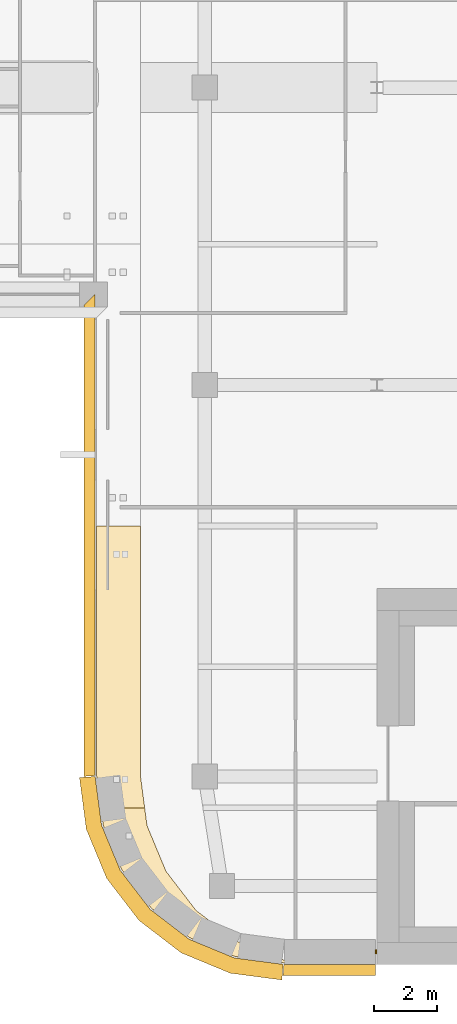
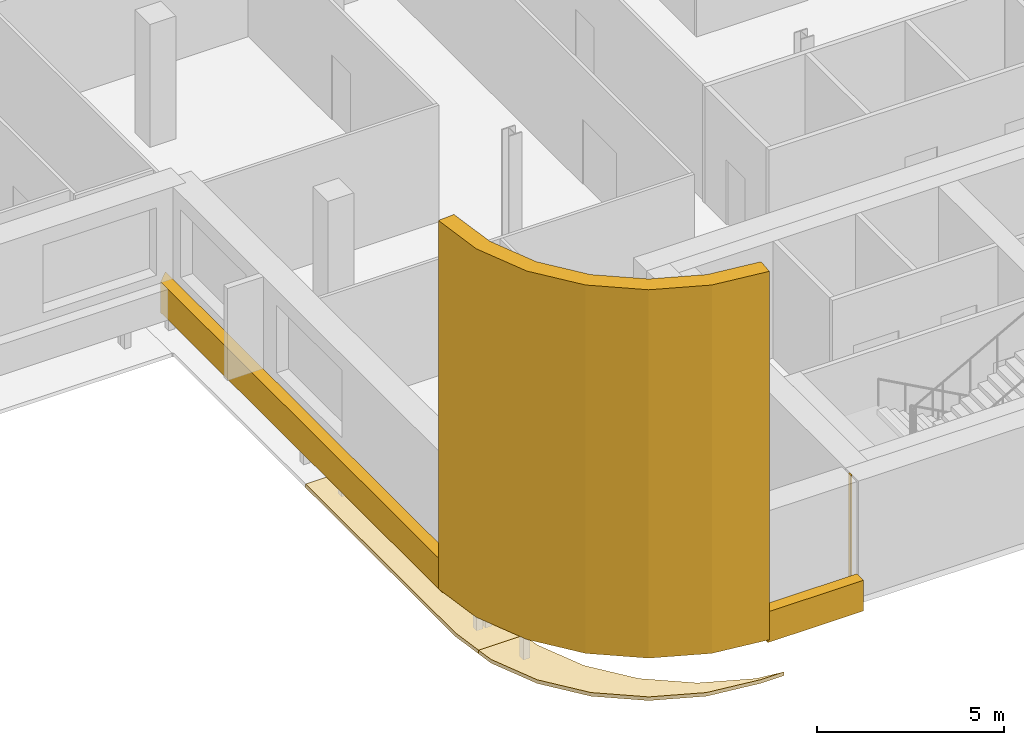
# One storey, part 15 of 19: 6 coverings.
"""IFC4 building model written with IfcOpenShell, lengths in metres."""

from ifc_helpers import new_model, si_unit, direction, frame, origin, origin_2d, place, context, subcontext, project, spatial, polyline, rectangle, outline, extrude, material, layer, layer_set, type_object, element, save


model = new_model("IFC4")

# Units and contexts
model_context = context("Model", 3, precision=1e-05, world=origin(), true_north=direction((0.0, 1.0)))
body_context = subcontext(model_context, "Body", "Model", "MODEL_VIEW")
ifc_project = project(units=[si_unit("LENGTHUNIT", "METRE"), si_unit("AREAUNIT", "SQUARE_METRE"), si_unit("VOLUMEUNIT", "CUBIC_METRE"), si_unit("PLANEANGLEUNIT", "RADIAN"), si_unit("MASSUNIT", "GRAM", prefix="KILO")], contexts=[model_context])

# Site, building, storey
site_placement = place(None, origin())
site = spatial("IfcSite", under=ifc_project, at=site_placement, CompositionType="ELEMENT")
building_placement = place(site_placement, origin())
building = spatial("IfcBuilding", under=site, at=building_placement, Name="Zellij Exchange Tower", CompositionType="ELEMENT")
storey_placement = place(building_placement, frame((0.0, 0.0, 220.5)))
storey = spatial("IfcBuildingStorey", under=building, at=storey_placement, Name="L51", CompositionType="ELEMENT", Elevation=220.5)

# Coverings
ifc_material_1 = material(Name="Limestone cladding", Category="masonry")
ifc_layer_1 = layer(ifc_material_1, 0.35009765625)
ifc_layer_set_1 = layer_set([ifc_layer_1], Name="Limestone cladding")
covering_type_1 = type_object("IfcCoveringType", Name="ENV-CV10 Stone spandrel band 350", PredefinedType="CLADDING", material=ifc_layer_set_1)
covering_1_placement = place(storey_placement, frame((0.0, 0.0, -0.199951171875)))
element("IfcCovering", 1, at=covering_1_placement, inside=storey, type_object=covering_type_1, Name="Stone spandrel band", PredefinedType="CLADDING", context=body_context, shape_type="SweptSolid", body=[
    extrude(outline(polyline([(-29.973876953125, -14.0), (-27.050048828125, -14.0), (-27.050048828125, -14.35009765625), (-29.99658203125, -14.35009765625), (-29.973876953125, -14.0)])), origin(), (0.0, 0.0, 1.0), 1.0),
])
covering_2_placement = place(storey_placement, frame((0.0, 0.0, -0.199951171875)))
element("IfcCovering", 2, at=covering_2_placement, inside=storey, type_object=covering_type_1, Name="Stone spandrel band", PredefinedType="CLADDING", context=body_context, shape_type="SweptSolid", body=[
    extrude(outline(polyline([(-36.0, 7.39990234375), (-36.0, -7.973876953125), (-36.35009765625, -7.99658203125), (-36.35009765625, 7.050048828125), (-36.0, 7.39990234375)])), origin(), (0.0, 0.0, 1.0), 1.0),
])
ifc_layer_2 = layer(ifc_material_1, 0.5)
ifc_layer_set_2 = layer_set([ifc_layer_2], Name="Limestone cladding")
covering_type_2 = type_object("IfcCoveringType", Name="ENV-CV12 Stone corner pier 500", PredefinedType="CLADDING", material=ifc_layer_set_2)
covering_3_placement = place(storey_placement, origin())
element("IfcCovering", 3, at=covering_3_placement, inside=storey, type_object=covering_type_2, Name="Stone corner pier", PredefinedType="CLADDING", context=body_context, shape_type="SweptSolid", body=[
    extrude(outline(polyline([(-36.0, -8.0), (-35.795654296875, -9.552978515625), (-35.1962890625, -11.0), (-34.24267578125, -12.24267578125), (-33.0, -13.1962890625), (-31.552978515625, -13.795654296875), (-30.0, -14.0), (-30.03271484375, -14.5), (-31.683349609375, -14.28271484375), (-33.252197265625, -13.6328125), (-34.59912109375, -12.59912109375), (-35.6328125, -11.252197265625), (-36.28271484375, -9.683349609375), (-36.5, -8.03271484375), (-36.0, -8.0)])), origin(), (0.0, 0.0, 1.0), 12.0),
])
ifc_layer_3 = layer(ifc_material_1, 0.1201171875)
ifc_layer_set_3 = layer_set([ifc_layer_3], Name="Limestone cladding")
covering_type_3 = type_object("IfcCoveringType", Name="ENV-CV18 Glazing closer 120", PredefinedType="CLADDING", material=ifc_layer_set_3)
covering_4_placement = place(storey_placement, frame((-27.02490234375, -13.60009765625, 0.0), z_axis=(0.0, 0.0, 1.0), x_axis=(1.0, 0.0, 0.0)))
element("IfcCovering", 4, at=covering_4_placement, inside=storey, type_object=covering_type_3, Name="Glazing closer", PredefinedType="CLADDING", context=body_context, shape_type="SweptSolid", body=[
    extrude(rectangle(XDim=0.050048828125, YDim=0.1201171875, at=origin_2d()), origin(), (0.0, 0.0, 1.0), 3.800048828125),
])
ifc_material_2 = material(Name="Limestone screen", Category="masonry")
ifc_layer_4 = layer(ifc_material_2, 0.1201171875)
ifc_layer_set_4 = layer_set([ifc_layer_4], Name="Limestone screen")
covering_type_4 = type_object("IfcCoveringType", Name="ENV-SC1 Pierced stone screen 120", PredefinedType="USERDEFINED", material=ifc_layer_set_4)
covering_5_placement = place(storey_placement, frame((0.0, 0.0, -1.77001953125)))
element("IfcCovering", 5, at=covering_5_placement, inside=storey, type_object=covering_type_4, Name="Pierced stone screen", ObjectType="SCREEN", PredefinedType="USERDEFINED", context=body_context, shape_type="SweptSolid", body=[
    extrude(outline(polyline([(-32.974853515625, -13.152587890625), (-34.20703125, -12.20703125), (-35.152587890625, -10.974853515625), (-35.746826171875, -9.539794921875), (-35.81787109375, -9.0), (-34.418701171875, -9.0), (-34.34521484375, -9.559326171875), (-34.344482421875, -9.563720703125), (-34.34326171875, -9.56787109375), (-34.341796875, -9.572021484375), (-33.7421875, -11.01904296875), (-33.740478515625, -11.023193359375), (-33.73828125, -11.02685546875), (-33.73583984375, -11.030517578125), (-32.7822265625, -12.273193359375), (-32.779541015625, -12.2763671875), (-32.7763671875, -12.279541015625), (-32.773193359375, -12.2822265625), (-31.530517578125, -13.23583984375), (-31.52685546875, -13.23828125), (-31.523193359375, -13.240478515625), (-31.51904296875, -13.2421875), (-30.072021484375, -13.841796875), (-30.06787109375, -13.84326171875), (-30.063720703125, -13.844482421875), (-30.059326171875, -13.84521484375), (-29.262939453125, -13.949951171875), (-29.99658203125, -13.949951171875), (-31.539794921875, -13.746826171875), (-32.974853515625, -13.152587890625)])), origin(), (0.0, 0.0, 1.0), 0.1201171875),
])
covering_6_placement = place(storey_placement, frame((0.0, 0.0, -1.77001953125)))
element("IfcCovering", 6, at=covering_6_placement, inside=storey, type_object=covering_type_4, Name="Pierced stone screen", ObjectType="SCREEN", PredefinedType="USERDEFINED", context=body_context, shape_type="SweptSolid", body=[
    extrude(outline(polyline([(-35.949951171875, -7.99658203125), (-35.949951171875, 0.0), (-34.550048828125, 0.0), (-34.550048828125, -8.0), (-34.549560546875, -8.006591796875), (-34.418701171875, -9.0), (-35.81787109375, -9.0), (-35.949951171875, -7.99658203125)])), origin(), (0.0, 0.0, 1.0), 0.1201171875),
])

save(model, "model.ifc")
